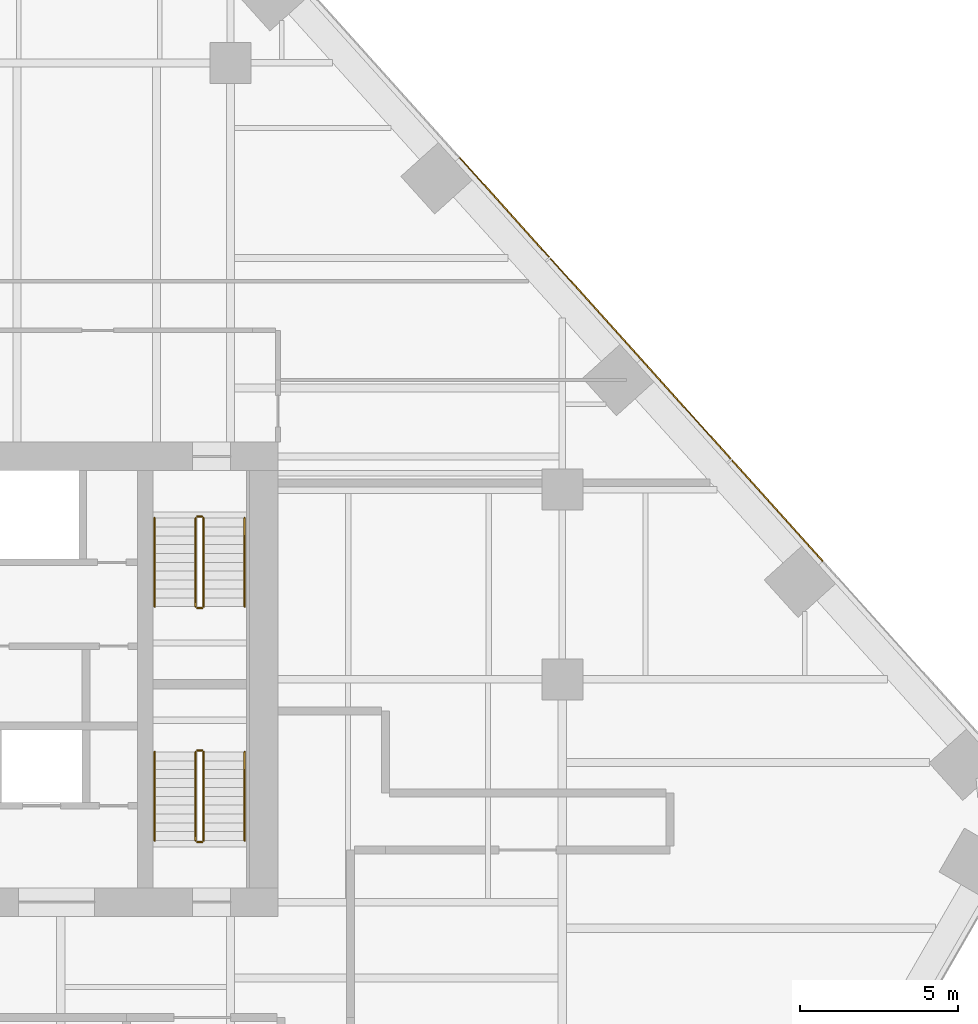
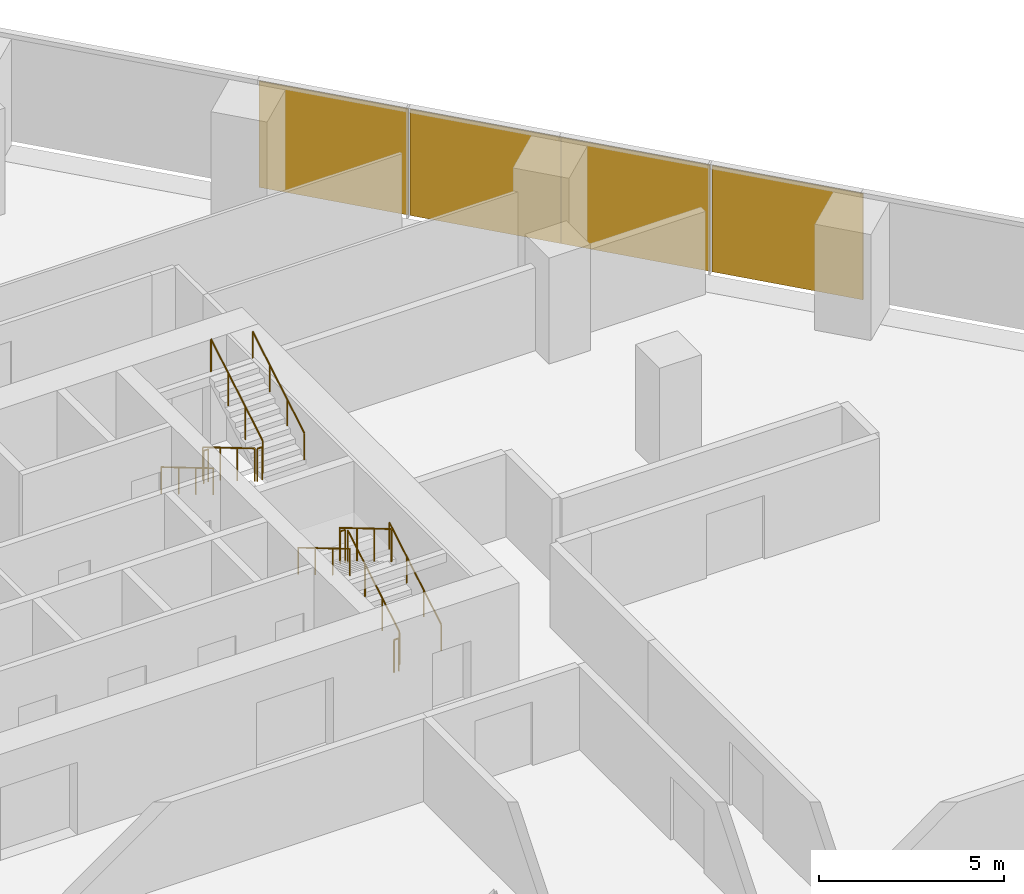
# One storey, part 19 of 19: 12 railings, 4 coverings, 1 element without a shape of its own.
"""IFC4 building model written with IfcOpenShell, lengths in metres."""

from ifc_helpers import new_model, si_unit, direction, frame, origin, origin_2d, place, context, subcontext, project, spatial, rectangle, circle, extrude, material, layer, layer_set, type_object, element, aggregate, save


model = new_model("IFC4")

# Units and contexts
model_context = context("Model", 3, precision=1e-05, world=origin(), true_north=direction((0.0, 1.0)))
body_context = subcontext(model_context, "Body", "Model", "MODEL_VIEW")
ifc_project = project(units=[si_unit("LENGTHUNIT", "METRE"), si_unit("AREAUNIT", "SQUARE_METRE"), si_unit("VOLUMEUNIT", "CUBIC_METRE"), si_unit("PLANEANGLEUNIT", "RADIAN"), si_unit("MASSUNIT", "GRAM", prefix="KILO")], contexts=[model_context])

# Site, building, storey
site_placement = place(None, origin())
site = spatial("IfcSite", under=ifc_project, at=site_placement, CompositionType="ELEMENT")
building_placement = place(site_placement, origin())
building = spatial("IfcBuilding", under=site, at=building_placement, Name="Isthmus Gate Tower", CompositionType="ELEMENT")
storey_placement = place(building_placement, frame((0.0, 0.0, 87.949951171875)))
storey = spatial("IfcBuildingStorey", under=building, at=storey_placement, Name="L20", CompositionType="ELEMENT", Elevation=87.949951171875)

# Curtain wall, coverings
ifc_material_1 = material(Name="Aluminium, pale champagne anodised", Category="aluminium")
ifc_layer_1 = layer(ifc_material_1, 0.199951171875)
ifc_layer_set_1 = layer_set([ifc_layer_1], Name="CW-1 UNITISED CURTAIN WALL 200 DEEP")
curtain_wall_type = type_object("IfcCurtainWallType", Name="CW-1 UNITISED CURTAIN WALL 200 DEEP", PredefinedType="NOTDEFINED", material=ifc_layer_set_1)
curtain_wall_placement = place(storey_placement, origin())
curtain_wall = element("IfcCurtainWall", 1, at=curtain_wall_placement, inside=storey, type_object=curtain_wall_type, Name="CW-1 NE L20", PredefinedType="NOTDEFINED")
ifc_material_2 = material(Name="Aluminium composite panel, pale champagne anodised", Category="aluminium")
ifc_layer_2 = layer(ifc_material_2, 0.0400390625)
ifc_layer_set_2 = layer_set([ifc_layer_2], Name="CW-1 PALE METAL PANEL 40")
covering_type = type_object("IfcCoveringType", Name="CW-1 PALE METAL PANEL 40", PredefinedType="CLADDING", material=ifc_layer_set_2)
covering_1_placement = place(storey_placement, frame((30.80419921875, 12.835693359375, 0.0), z_axis=(0.0, 0.0, 1.0), x_axis=(-0.669130606359, 0.743144825477, 0.0)))
covering_1 = element("IfcCovering", 2, at=covering_1_placement, type_object=covering_type, Name="CW-1 pale metal panel", PredefinedType="CLADDING", context=body_context, shape_type="SweptSolid", body=[
    extrude(rectangle(XDim=4.294677734375, YDim=0.0400390625, at=origin_2d()), origin(), (0.0, 0.0, 1.0), 3.5),
])
covering_2_placement = place(storey_placement, frame((27.910400390625, 16.049560546875, 0.0), z_axis=(0.0, 0.0, 1.0), x_axis=(-0.669130606359, 0.743144825477, 0.0)))
covering_2 = element("IfcCovering", 3, at=covering_2_placement, type_object=covering_type, Name="CW-1 pale metal panel", PredefinedType="CLADDING", context=body_context, shape_type="SweptSolid", body=[
    extrude(rectangle(XDim=4.234619140625, YDim=0.0400390625, at=origin_2d()), origin(), (0.0, 0.0, 1.0), 3.5),
])
covering_3_placement = place(storey_placement, frame((25.056884765625, 19.21875, 0.0), z_axis=(0.0, 0.0, 1.0), x_axis=(-0.669130606359, 0.743144825477, 0.0)))
covering_3 = element("IfcCovering", 4, at=covering_3_placement, type_object=covering_type, Name="CW-1 pale metal panel", PredefinedType="CLADDING", context=body_context, shape_type="SweptSolid", body=[
    extrude(rectangle(XDim=4.294677734375, YDim=0.0400390625, at=origin_2d()), origin(), (0.0, 0.0, 1.0), 3.5),
])
covering_4_placement = place(storey_placement, frame((22.1630859375, 22.4326171875, 0.0), z_axis=(0.0, 0.0, 1.0), x_axis=(-0.669130606359, 0.743144825477, 0.0)))
covering_4 = element("IfcCovering", 5, at=covering_4_placement, type_object=covering_type, Name="CW-1 pale metal panel", PredefinedType="CLADDING", context=body_context, shape_type="SweptSolid", body=[
    extrude(rectangle(XDim=4.234619140625, YDim=0.0400390625, at=origin_2d()), origin(), (0.0, 0.0, 1.0), 3.5),
])
aggregate(curtain_wall, [covering_1, covering_2, covering_3, covering_4])

# Railings
ifc_material_3 = material(Name="Stainless steel balustrade", Category="steel")
railing_type_1 = type_object("IfcRailingType", Name="STAIR GUARD 1100", PredefinedType="GUARDRAIL", material=ifc_material_3)
railing_1_placement = place(storey_placement, frame((12.39990234375, 12.60009765625, 0.166015625)))
element("IfcRailing", 6, at=railing_1_placement, inside=storey, type_object=railing_type_1, Name="L20 ST2 stair guard 1", PredefinedType="GUARDRAIL", context=body_context, shape_type="SweptSolid", body=[
    extrude(circle(Radius=0.02392578125, at=origin_2d()), frame((0.0, 0.0, 1.076171875), z_axis=(0.0, -0.860339051648, 0.50972219513), x_axis=(1.0, 0.0, 0.0)), (0.0, 0.0, 1.0), 3.254638671875),
    extrude(circle(Radius=0.02099609375, at=origin_2d()), origin(), (0.0, 0.0, 1.0), 1.052001953125),
    extrude(circle(Radius=0.02099609375, at=origin_2d()), frame((0.0, -0.933349609375, 0.552978515625)), (0.0, 0.0, 1.0), 1.052001953125),
    extrude(circle(Radius=0.02099609375, at=origin_2d()), frame((0.0, -1.86669921875, 1.10595703125)), (0.0, 0.0, 1.0), 1.052001953125),
    extrude(circle(Radius=0.02099609375, at=origin_2d()), frame((0.0, -2.800048828125, 1.658935546875)), (0.0, 0.0, 1.0), 1.052001953125),
])
railing_2_placement = place(storey_placement, frame((12.449951171875, 9.75, 1.824951171875)))
element("IfcRailing", 7, at=railing_2_placement, inside=storey, type_object=railing_type_1, Name="L20 ST2 stair guard 2", PredefinedType="GUARDRAIL", context=body_context, shape_type="SweptSolid", body=[
    extrude(circle(Radius=0.02392578125, at=origin_2d()), frame((0.0, 0.0, 1.076171875), z_axis=(1.0, 0.0, 0.0), x_axis=(0.0, 1.0, 0.0)), (0.0, 0.0, 1.0), 0.150146484375),
    extrude(circle(Radius=0.02099609375, at=origin_2d()), origin(), (0.0, 0.0, 1.0), 1.052001953125),
    extrude(circle(Radius=0.02099609375, at=origin_2d()), frame((0.150146484375, 0.0, 0.0)), (0.0, 0.0, 1.0), 1.052001953125),
])
railing_3_placement = place(storey_placement, frame((12.64990234375, 9.800048828125, 1.990966796875)))
element("IfcRailing", 8, at=railing_3_placement, inside=storey, type_object=railing_type_1, Name="L20 ST2 stair guard 3", PredefinedType="GUARDRAIL", context=body_context, shape_type="SweptSolid", body=[
    extrude(circle(Radius=0.02392578125, at=origin_2d()), frame((0.0, 0.0, 1.076171875), z_axis=(0.0, 0.860306154799, 0.50977771628), x_axis=(-1.0, 0.0, 0.0)), (0.0, 0.0, 1.0), 3.254638671875),
    extrude(circle(Radius=0.02099609375, at=origin_2d()), origin(), (0.0, 0.0, 1.0), 1.052001953125),
    extrude(circle(Radius=0.02099609375, at=origin_2d()), frame((0.0, 0.933349609375, 0.552978515625)), (0.0, 0.0, 1.0), 1.052001953125),
    extrude(circle(Radius=0.02099609375, at=origin_2d()), frame((0.0, 1.86669921875, 1.106201171875)), (0.0, 0.0, 1.0), 1.052001953125),
    extrude(circle(Radius=0.02099609375, at=origin_2d()), frame((0.0, 2.800048828125, 1.6591796875)), (0.0, 0.0, 1.0), 1.052001953125),
])
railing_4_placement = place(storey_placement, frame((12.449951171875, 12.64990234375, 0.0)))
element("IfcRailing", 9, at=railing_4_placement, inside=storey, type_object=railing_type_1, Name="L20 ST2 stair guard 4", PredefinedType="GUARDRAIL", context=body_context, shape_type="SweptSolid", body=[
    extrude(circle(Radius=0.02392578125, at=origin_2d()), frame((0.0, 0.0, 1.076171875), z_axis=(1.0, 0.0, 0.0), x_axis=(0.0, 1.0, 0.0)), (0.0, 0.0, 1.0), 0.150146484375),
    extrude(circle(Radius=0.02099609375, at=origin_2d()), origin(), (0.0, 0.0, 1.0), 1.052001953125),
    extrude(circle(Radius=0.02099609375, at=origin_2d()), frame((0.150146484375, 0.0, 0.0)), (0.0, 0.0, 1.0), 1.052001953125),
])
railing_5_placement = place(storey_placement, frame((12.64990234375, 2.39990234375, 0.166015625)))
element("IfcRailing", 10, at=railing_5_placement, inside=storey, type_object=railing_type_1, Name="L20 ST8 stair guard 1", PredefinedType="GUARDRAIL", context=body_context, shape_type="SweptSolid", body=[
    extrude(circle(Radius=0.02392578125, at=origin_2d()), frame((0.0, 0.0, 1.076171875), z_axis=(0.0, 0.860339051648, 0.50972219513), x_axis=(-1.0, 0.0, 0.0)), (0.0, 0.0, 1.0), 3.254638671875),
    extrude(circle(Radius=0.02099609375, at=origin_2d()), origin(), (0.0, 0.0, 1.0), 1.052001953125),
    extrude(circle(Radius=0.02099609375, at=origin_2d()), frame((0.0, 0.933349609375, 0.552978515625)), (0.0, 0.0, 1.0), 1.052001953125),
    extrude(circle(Radius=0.02099609375, at=origin_2d()), frame((0.0, 1.86669921875, 1.10595703125)), (0.0, 0.0, 1.0), 1.052001953125),
    extrude(circle(Radius=0.02099609375, at=origin_2d()), frame((0.0, 2.800048828125, 1.658935546875)), (0.0, 0.0, 1.0), 1.052001953125),
])
railing_6_placement = place(storey_placement, frame((12.60009765625, 5.25, 1.824951171875)))
element("IfcRailing", 11, at=railing_6_placement, inside=storey, type_object=railing_type_1, Name="L20 ST8 stair guard 2", PredefinedType="GUARDRAIL", context=body_context, shape_type="SweptSolid", body=[
    extrude(circle(Radius=0.02392578125, at=origin_2d()), frame((0.0, 0.0, 1.076171875), z_axis=(-1.0, 0.0, 0.0), x_axis=(0.0, -1.0, 0.0)), (0.0, 0.0, 1.0), 0.150146484375),
    extrude(circle(Radius=0.02099609375, at=origin_2d()), origin(), (0.0, 0.0, 1.0), 1.052001953125),
    extrude(circle(Radius=0.02099609375, at=origin_2d()), frame((-0.150146484375, 0.0, 0.0)), (0.0, 0.0, 1.0), 1.052001953125),
])
railing_7_placement = place(storey_placement, frame((12.39990234375, 5.199951171875, 1.990966796875)))
element("IfcRailing", 12, at=railing_7_placement, inside=storey, type_object=railing_type_1, Name="L20 ST8 stair guard 3", PredefinedType="GUARDRAIL", context=body_context, shape_type="SweptSolid", body=[
    extrude(circle(Radius=0.02392578125, at=origin_2d()), frame((0.0, 0.0, 1.076171875), z_axis=(0.0, -0.860306154799, 0.50977771628), x_axis=(1.0, 0.0, 0.0)), (0.0, 0.0, 1.0), 3.254638671875),
    extrude(circle(Radius=0.02099609375, at=origin_2d()), origin(), (0.0, 0.0, 1.0), 1.052001953125),
    extrude(circle(Radius=0.02099609375, at=origin_2d()), frame((0.0, -0.933349609375, 0.552978515625)), (0.0, 0.0, 1.0), 1.052001953125),
    extrude(circle(Radius=0.02099609375, at=origin_2d()), frame((0.0, -1.86669921875, 1.106201171875)), (0.0, 0.0, 1.0), 1.052001953125),
    extrude(circle(Radius=0.02099609375, at=origin_2d()), frame((0.0, -2.800048828125, 1.6591796875)), (0.0, 0.0, 1.0), 1.052001953125),
])
railing_8_placement = place(storey_placement, frame((12.60009765625, 2.35009765625, 0.0)))
element("IfcRailing", 13, at=railing_8_placement, inside=storey, type_object=railing_type_1, Name="L20 ST8 stair guard 4", PredefinedType="GUARDRAIL", context=body_context, shape_type="SweptSolid", body=[
    extrude(circle(Radius=0.02392578125, at=origin_2d()), frame((0.0, 0.0, 1.076171875), z_axis=(-1.0, 0.0, 0.0), x_axis=(0.0, -1.0, 0.0)), (0.0, 0.0, 1.0), 0.150146484375),
    extrude(circle(Radius=0.02099609375, at=origin_2d()), origin(), (0.0, 0.0, 1.0), 1.052001953125),
    extrude(circle(Radius=0.02099609375, at=origin_2d()), frame((-0.150146484375, 0.0, 0.0)), (0.0, 0.0, 1.0), 1.052001953125),
])
ifc_material_4 = material(Name="Stainless steel handrail", Category="steel")
railing_type_2 = type_object("IfcRailingType", Name="STAIR HANDRAIL 900", PredefinedType="HANDRAIL", material=ifc_material_4)
railing_9_placement = place(storey_placement, frame((11.10009765625, 12.60009765625, 0.166015625)))
element("IfcRailing", 14, at=railing_9_placement, inside=storey, type_object=railing_type_2, Name="L20 ST2 stair handrail 1", PredefinedType="HANDRAIL", context=body_context, shape_type="SweptSolid", body=[
    extrude(circle(Radius=0.02392578125, at=origin_2d()), frame((0.0, 0.0, 0.8759765625), z_axis=(0.0, -0.860339051648, 0.50972219513), x_axis=(1.0, 0.0, 0.0)), (0.0, 0.0, 1.0), 3.254638671875),
    extrude(circle(Radius=0.02099609375, at=origin_2d()), origin(), (0.0, 0.0, 1.0), 0.851806640625),
    extrude(circle(Radius=0.02099609375, at=origin_2d()), frame((0.0, -0.933349609375, 0.552978515625)), (0.0, 0.0, 1.0), 0.851806640625),
    extrude(circle(Radius=0.02099609375, at=origin_2d()), frame((0.0, -1.86669921875, 1.10595703125)), (0.0, 0.0, 1.0), 0.851806640625),
    extrude(circle(Radius=0.02099609375, at=origin_2d()), frame((0.0, -2.800048828125, 1.658935546875)), (0.0, 0.0, 1.0), 0.851806640625),
])
railing_10_placement = place(storey_placement, frame((13.949951171875, 9.800048828125, 1.990966796875)))
element("IfcRailing", 15, at=railing_10_placement, inside=storey, type_object=railing_type_2, Name="L20 ST2 stair handrail 2", PredefinedType="HANDRAIL", context=body_context, shape_type="SweptSolid", body=[
    extrude(circle(Radius=0.02392578125, at=origin_2d()), frame((0.0, 0.0, 0.8759765625), z_axis=(0.0, 0.860306154799, 0.50977771628), x_axis=(-1.0, 0.0, 0.0)), (0.0, 0.0, 1.0), 3.254638671875),
    extrude(circle(Radius=0.02099609375, at=origin_2d()), origin(), (0.0, 0.0, 1.0), 0.851806640625),
    extrude(circle(Radius=0.02099609375, at=origin_2d()), frame((0.0, 0.933349609375, 0.552978515625)), (0.0, 0.0, 1.0), 0.851806640625),
    extrude(circle(Radius=0.02099609375, at=origin_2d()), frame((0.0, 1.86669921875, 1.106201171875)), (0.0, 0.0, 1.0), 0.851806640625),
    extrude(circle(Radius=0.02099609375, at=origin_2d()), frame((0.0, 2.800048828125, 1.6591796875)), (0.0, 0.0, 1.0), 0.851806640625),
])
railing_11_placement = place(storey_placement, frame((13.949951171875, 2.39990234375, 0.166015625)))
element("IfcRailing", 16, at=railing_11_placement, inside=storey, type_object=railing_type_2, Name="L20 ST8 stair handrail 1", PredefinedType="HANDRAIL", context=body_context, shape_type="SweptSolid", body=[
    extrude(circle(Radius=0.02392578125, at=origin_2d()), frame((0.0, 0.0, 0.8759765625), z_axis=(0.0, 0.860339051648, 0.50972219513), x_axis=(-1.0, 0.0, 0.0)), (0.0, 0.0, 1.0), 3.254638671875),
    extrude(circle(Radius=0.02099609375, at=origin_2d()), origin(), (0.0, 0.0, 1.0), 0.851806640625),
    extrude(circle(Radius=0.02099609375, at=origin_2d()), frame((0.0, 0.933349609375, 0.552978515625)), (0.0, 0.0, 1.0), 0.851806640625),
    extrude(circle(Radius=0.02099609375, at=origin_2d()), frame((0.0, 1.86669921875, 1.10595703125)), (0.0, 0.0, 1.0), 0.851806640625),
    extrude(circle(Radius=0.02099609375, at=origin_2d()), frame((0.0, 2.800048828125, 1.658935546875)), (0.0, 0.0, 1.0), 0.851806640625),
])
railing_12_placement = place(storey_placement, frame((11.10009765625, 5.199951171875, 1.990966796875)))
element("IfcRailing", 17, at=railing_12_placement, inside=storey, type_object=railing_type_2, Name="L20 ST8 stair handrail 2", PredefinedType="HANDRAIL", context=body_context, shape_type="SweptSolid", body=[
    extrude(circle(Radius=0.02392578125, at=origin_2d()), frame((0.0, 0.0, 0.8759765625), z_axis=(0.0, -0.860306154799, 0.50977771628), x_axis=(1.0, 0.0, 0.0)), (0.0, 0.0, 1.0), 3.254638671875),
    extrude(circle(Radius=0.02099609375, at=origin_2d()), origin(), (0.0, 0.0, 1.0), 0.851806640625),
    extrude(circle(Radius=0.02099609375, at=origin_2d()), frame((0.0, -0.933349609375, 0.552978515625)), (0.0, 0.0, 1.0), 0.851806640625),
    extrude(circle(Radius=0.02099609375, at=origin_2d()), frame((0.0, -1.86669921875, 1.106201171875)), (0.0, 0.0, 1.0), 0.851806640625),
    extrude(circle(Radius=0.02099609375, at=origin_2d()), frame((0.0, -2.800048828125, 1.6591796875)), (0.0, 0.0, 1.0), 0.851806640625),
])

save(model, "model.ifc")
